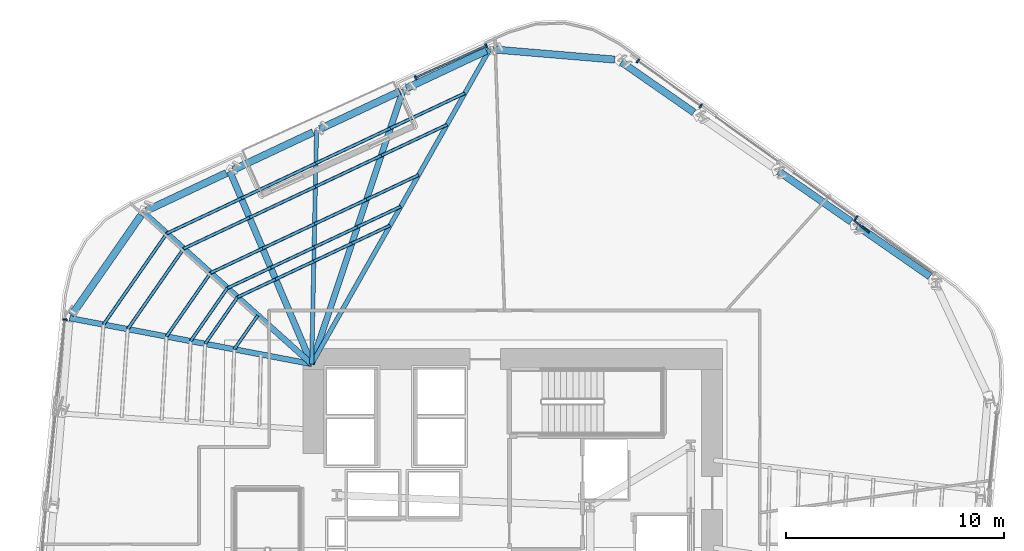
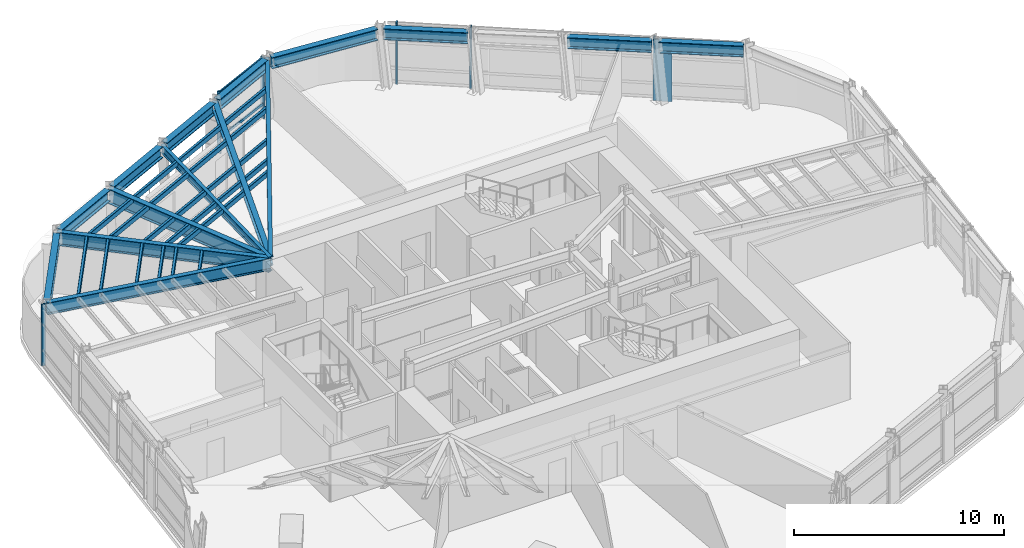
# One storey, part 6 of 16: 35 members, 15 beams, 3 elements without a shape of their own.
"""IFC4 building model written with IfcOpenShell, lengths in metres."""

from ifc_helpers import new_model, si_unit, direction, frame, origin, origin_2d, place, context, subcontext, project, spatial, rectangle, hollow_rectangle, i_section, extrude, material, layer, layer_set, material_profile, profile_set, type_object, element, aggregate, save


model = new_model("IFC4")

# Units and contexts
model_context = context("Model", 3, precision=1e-05, world=origin(), true_north=direction((0.0, 1.0)))
body_context = subcontext(model_context, "Body", "Model", "MODEL_VIEW")
ifc_project = project(units=[si_unit("LENGTHUNIT", "METRE"), si_unit("AREAUNIT", "SQUARE_METRE"), si_unit("VOLUMEUNIT", "CUBIC_METRE"), si_unit("PLANEANGLEUNIT", "RADIAN"), si_unit("MASSUNIT", "GRAM", prefix="KILO")], contexts=[model_context])

# Site, building, storey
site_placement = place(None, origin())
site = spatial("IfcSite", under=ifc_project, at=site_placement, CompositionType="ELEMENT")
building_placement = place(site_placement, origin())
building = spatial("IfcBuilding", under=site, at=building_placement, Name="Valkerne Bourse Tower", CompositionType="ELEMENT")
storey_placement = place(building_placement, frame((0.0, 0.0, 127.60009765625)))
storey = spatial("IfcBuildingStorey", under=building, at=storey_placement, Name="L32", CompositionType="ELEMENT", Elevation=127.60009765625)

# Beams
ifc_material_1 = material(Name="Steel ASTM A992", Category="steel")
ifc_material_profile_1 = material_profile(ifc_material_1, i_section(OverallWidth=0.1904296875, OverallDepth=0.457275390625, WebThickness=0.009033203125, FlangeThickness=0.014404296875, FilletRadius=0.01513671875, at=origin_2d()), Name="W18X50")
ifc_profile_set_1 = profile_set([ifc_material_profile_1], Name="Steel ASTM A992")
beam_type_1 = type_object("IfcBeamType", Name="BM-W18X50", PredefinedType="JOIST", material=ifc_profile_set_1)
beam_1_placement = place(storey_placement, frame((37.8212890625, 46.080810546875, 3.351318359375), z_axis=(-0.020704605519, -0.999785636679, 0.0), x_axis=(0.999785636679, -0.020704605519, 0.0)))
element("IfcBeam", 1, at=beam_1_placement, inside=storey, type_object=beam_type_1, Name="L32 Radial Composite Floor Beam 07", PredefinedType="JOIST", context=body_context, shape_type="SweptSolid", body=[
    extrude(i_section(OverallWidth=0.1904296875, OverallDepth=0.457275390625, WebThickness=0.009033203125, FlangeThickness=0.014404296875, FilletRadius=0.01513671875, at=origin_2d()), origin(), (0.0, 0.0, 1.0), 10.68310546875),
])
ifc_material_profile_2 = material_profile(ifc_material_1, i_section(OverallWidth=0.279296875, OverallDepth=0.46240234375, WebThickness=0.0107421875, FlangeThickness=0.017333984375, FilletRadius=0.017822265625, at=origin_2d()), Name="W18X76")
ifc_profile_set_2 = profile_set([ifc_material_profile_2], Name="Steel ASTM A992")
beam_type_2 = type_object("IfcBeamType", Name="BM-W18X76", PredefinedType="BEAM", material=ifc_profile_set_2)
beam_2_placement = place(storey_placement, frame((41.787109375, 47.947021484375, 3.3486328125), z_axis=(-0.316543369018, -0.948578038714, 0.0), x_axis=(0.948578038714, -0.316543369018, 0.0)))
element("IfcBeam", 2, at=beam_2_placement, inside=storey, type_object=beam_type_2, Name="L32 Radial Composite Floor Beam 06", PredefinedType="BEAM", context=body_context, shape_type="SweptSolid", body=[
    extrude(i_section(OverallWidth=0.279296875, OverallDepth=0.46240234375, WebThickness=0.0107421875, FlangeThickness=0.017333984375, FilletRadius=0.017822265625, at=origin_2d()), origin(), (0.0, 0.0, 1.0), 13.227294921875),
])
ifc_material_profile_3 = material_profile(ifc_material_1, i_section(OverallWidth=0.209228515625, OverallDepth=0.533447265625, WebThickness=0.01025390625, FlangeThickness=0.015625, FilletRadius=0.017822265625, at=origin_2d()), Name="W21X62")
ifc_profile_set_3 = profile_set([ifc_material_profile_3], Name="Steel ASTM A992")
beam_type_3 = type_object("IfcBeamType", Name="BM-W21X62", PredefinedType="JOIST", material=ifc_profile_set_3)
beam_3_placement = place(storey_placement, frame((45.7529296875, 49.81298828125, 3.313232421875), z_axis=(-0.492345805932, -0.870399682549, 0.0), x_axis=(0.870399682549, -0.492345805932, 0.0)))
element("IfcBeam", 3, at=beam_3_placement, inside=storey, type_object=beam_type_3, Name="L32 Radial Composite Floor Beam 05", PredefinedType="JOIST", context=body_context, shape_type="SweptSolid", body=[
    extrude(i_section(OverallWidth=0.209228515625, OverallDepth=0.533447265625, WebThickness=0.01025390625, FlangeThickness=0.015625, FilletRadius=0.017822265625, at=origin_2d()), origin(), (0.0, 0.0, 1.0), 16.55908203125),
])
ifc_material_profile_4 = material_profile(ifc_material_1, i_section(OverallWidth=0.330078125, OverallDepth=0.647705078125, WebThickness=0.0205078125, FlangeThickness=0.037109375, FilletRadius=0.020263671875, at=origin_2d()), Name="W24X192")
ifc_profile_set_4 = profile_set([ifc_material_profile_4], Name="Steel ASTM A992")
beam_type_4 = type_object("IfcBeamType", Name="BM-W24X192", PredefinedType="SPANDREL", material=ifc_profile_set_4)
for number, where, z_axis, x_axis, name in (
    (4, (65.8935546875, 39.410400390625, 3.256103515625), (-0.821145139554, 0.570719422998, 0.0), (-0.570719422998, -0.821145139554, 0.0), "L32 Hexagonal Spandrel Ring Beam 00"),
    (5, (62.29443359375, 41.91162109375, 3.256103515625), (-0.821116839452, 0.570760138734, 0.0), (-0.570760138734, -0.821116839452, 0.0), "L32 Hexagonal Spandrel Ring Beam 01"),
    (6, (55.096435546875, 46.91455078125, 3.256103515625), (-0.821145139554, 0.570719422998, 0.0), (-0.570719422998, -0.821145139554, 0.0), "L32 Hexagonal Spandrel Ring Beam 03"),
):
    element("IfcBeam", number, at=place(storey_placement, frame(where, z_axis=z_axis, x_axis=x_axis)), inside=storey, type_object=beam_type_4, Name=name, PredefinedType="SPANDREL", context=body_context, shape_type="SweptSolid", body=[
        extrude(i_section(OverallWidth=0.330078125, OverallDepth=0.647705078125, WebThickness=0.0205078125, FlangeThickness=0.037109375, FilletRadius=0.020263671875, at=origin_2d()), origin(), (0.0, 0.0, 1.0), 4.04296875),
    ])
beam_4_placement = place(storey_placement, frame((51.467529296875, 49.333251953125, 3.256103515625), z_axis=(-0.996493824615, 0.083666346301, 0.0), x_axis=(-0.083666346301, -0.996493824615, 0.0)))
element("IfcBeam", 7, at=beam_4_placement, inside=storey, type_object=beam_type_4, Name="L32 Hexagonal Spandrel Ring Beam 04", PredefinedType="SPANDREL", context=body_context, shape_type="SweptSolid", body=[
    extrude(i_section(OverallWidth=0.330078125, OverallDepth=0.647705078125, WebThickness=0.0205078125, FlangeThickness=0.037109375, FilletRadius=0.020263671875, at=origin_2d()), origin(), (0.0, 0.0, 1.0), 5.564697265625),
])
for number, where, z_axis, x_axis, name in (
    (8, (45.59912109375, 49.74072265625, 3.256103515625), (-0.904825544703, -0.425782495709, 0.0), (0.425782495709, -0.904825544703, 0.0), "L32 Hexagonal Spandrel Ring Beam 05"),
    (9, (41.63330078125, 47.87451171875, 3.256103515625), (-0.904825544703, -0.425782495709, 0.0), (0.425782495709, -0.904825544703, 0.0), "L32 Hexagonal Spandrel Ring Beam 06"),
    (10, (37.66748046875, 46.00830078125, 3.256103515625), (-0.904825544703, -0.425782495709, 0.0), (0.425782495709, -0.904825544703, 0.0), "L32 Hexagonal Spandrel Ring Beam 07"),
    (11, (33.70166015625, 44.14208984375, 3.256103515625), (-0.904848808238, -0.425733055131, 0.0), (0.425733055131, -0.904848808238, 0.0), "L32 Hexagonal Spandrel Ring Beam 08"),
):
    element("IfcBeam", number, at=place(storey_placement, frame(where, z_axis=z_axis, x_axis=x_axis)), inside=storey, type_object=beam_type_4, Name=name, PredefinedType="SPANDREL", context=body_context, shape_type="SweptSolid", body=[
        extrude(i_section(OverallWidth=0.330078125, OverallDepth=0.647705078125, WebThickness=0.0205078125, FlangeThickness=0.037109375, FilletRadius=0.020263671875, at=origin_2d()), origin(), (0.0, 0.0, 1.0), 4.04296875),
    ])
beam_5_placement = place(storey_placement, frame((29.79248046875, 42.208740234375, 3.256103515625), z_axis=(-0.57071478467, -0.821148363306, 0.0), x_axis=(0.821148363306, -0.57071478467, 0.0)))
element("IfcBeam", 12, at=beam_5_placement, inside=storey, type_object=beam_type_4, Name="L32 Hexagonal Spandrel Ring Beam 09", PredefinedType="SPANDREL", context=body_context, shape_type="SweptSolid", body=[
    extrude(i_section(OverallWidth=0.330078125, OverallDepth=0.647705078125, WebThickness=0.0205078125, FlangeThickness=0.037109375, FilletRadius=0.020263671875, at=origin_2d()), origin(), (0.0, 0.0, 1.0), 5.564453125),
])
ifc_material_profile_5 = material_profile(ifc_material_1, i_section(OverallWidth=0.255859375, OverallDepth=0.693359375, WebThickness=0.014404296875, FlangeThickness=0.023681640625, FilletRadius=0.02294921875, at=origin_2d()), Name="W27X114")
ifc_profile_set_5 = profile_set([ifc_material_profile_5], Name="Steel ASTM A992")
beam_type_5 = type_object("IfcBeamType", Name="BM-W27X114", PredefinedType="BEAM", material=ifc_profile_set_5)
beam_6_placement = place(storey_placement, frame((26.519775390625, 37.499755859375, 3.233154296875), z_axis=(0.982512275573, -0.186197820474, 0.0), x_axis=(0.186197820474, 0.982512275573, 0.0)))
element("IfcBeam", 13, at=beam_6_placement, inside=storey, type_object=beam_type_5, Name="L32 Radial Composite Floor Beam 10", PredefinedType="BEAM", context=body_context, shape_type="SweptSolid", body=[
    extrude(i_section(OverallWidth=0.255859375, OverallDepth=0.693359375, WebThickness=0.014404296875, FlangeThickness=0.023681640625, FilletRadius=0.02294921875, at=origin_2d()), origin(), (0.0, 0.0, 1.0), 11.277587890625),
])
ifc_material_profile_6 = material_profile(ifc_material_1, i_section(OverallWidth=0.26806640625, OverallDepth=0.76953125, WebThickness=0.015625, FlangeThickness=0.025390625, FilletRadius=0.025390625, at=origin_2d()), Name="W30X132")
ifc_profile_set_6 = profile_set([ifc_material_profile_6], Name="Steel ASTM A992")
beam_type_6 = type_object("IfcBeamType", Name="BM-W30X132", PredefinedType="BEAM", material=ifc_profile_set_6)
beam_7_placement = place(storey_placement, frame((29.8896484375, 42.348388671875, 3.195068359375), z_axis=(0.742858904573, -0.669448017322, 0.0), x_axis=(0.669448017322, 0.742858904573, 0.0)))
element("IfcBeam", 14, at=beam_7_placement, inside=storey, type_object=beam_type_6, Name="L32 Radial Composite Floor Beam 09", PredefinedType="BEAM", context=body_context, shape_type="SweptSolid", body=[
    extrude(i_section(OverallWidth=0.26806640625, OverallDepth=0.76953125, WebThickness=0.015625, FlangeThickness=0.025390625, FilletRadius=0.025390625, at=origin_2d()), origin(), (0.0, 0.0, 1.0), 10.37939453125),
])
ifc_material_profile_7 = material_profile(ifc_material_1, i_section(OverallWidth=0.2919921875, OverallDepth=0.8583984375, WebThickness=0.01708984375, FlangeThickness=0.031005859375, FilletRadius=0.025390625, at=origin_2d()), Name="W33X169")
ifc_profile_set_7 = profile_set([ifc_material_profile_7], Name="Steel ASTM A992")
beam_type_7 = type_object("IfcBeamType", Name="BM-W33X169", PredefinedType="BEAM", material=ifc_profile_set_7)
beam_8_placement = place(storey_placement, frame((33.85546875, 44.214599609375, 3.150634765625), z_axis=(0.390997588456, -0.920391702386, 0.0), x_axis=(0.920391702386, 0.390997588456, 0.0)))
element("IfcBeam", 15, at=beam_8_placement, inside=storey, type_object=beam_type_7, Name="L32 Radial Composite Floor Beam 08", PredefinedType="BEAM", context=body_context, shape_type="SweptSolid", body=[
    extrude(i_section(OverallWidth=0.2919921875, OverallDepth=0.8583984375, WebThickness=0.01708984375, FlangeThickness=0.031005859375, FilletRadius=0.025390625, at=origin_2d()), origin(), (0.0, 0.0, 1.0), 9.5771484375),
])

# Curtain wall, members
ifc_material_2 = material(Name="Aluminium AA 6063-T6", Category="aluminium")
ifc_layer = layer(ifc_material_2, 0.22998046875)
ifc_layer_set = layer_set([ifc_layer], Name="Aluminium AA 6063-T6")
curtain_wall_type = type_object("IfcCurtainWallType", Name="CW-02", PredefinedType="NOTDEFINED", material=ifc_layer_set)
curtain_wall_1_placement = place(storey_placement, origin())
curtain_wall_1 = element("IfcCurtainWall", 16, at=curtain_wall_1_placement, inside=storey, type_object=curtain_wall_type, Name="L32 Hexagonal Stick Curtain Wall Face 1", PredefinedType="NOTDEFINED")
ifc_material_profile_8 = material_profile(ifc_material_2, rectangle(XDim=0.074951171875, YDim=0.199951171875, at=origin_2d()), Name="CWM-75X200")
ifc_profile_set_8 = profile_set([ifc_material_profile_8], Name="Aluminium AA 6063-T6")
member_type_1 = type_object("IfcMemberType", Name="CW-MUL-220X75", PredefinedType="MULLION", material=ifc_profile_set_8)
member_1_placement = place(storey_placement, frame((62.522216796875, 42.08837890625, 0.0), z_axis=(0.0, 0.0, 1.0), x_axis=(-0.812074499603, 0.583553773953, 0.0)))
member_1 = element("IfcMember", 17, at=member_1_placement, type_object=member_type_1, Name="CW-L32-F1 Jamb Mullion 01A", PredefinedType="MULLION", context=body_context, shape_type="SweptSolid", body=[
    extrude(rectangle(XDim=0.074951171875, YDim=0.199951171875, at=origin_2d()), origin(), (0.0, 0.0, 1.0), 3.579833984375),
])
member_2_placement = place(storey_placement, frame((55.403564453125, 47.203857421875, 0.0), z_axis=(0.0, 0.0, 1.0), x_axis=(-0.812093080647, 0.583527915669, 0.0)))
member_2 = element("IfcMember", 18, at=member_2_placement, type_object=member_type_1, Name="CW-L32-F1 Jamb Mullion 03A", PredefinedType="MULLION", context=body_context, shape_type="SweptSolid", body=[
    extrude(rectangle(XDim=0.074951171875, YDim=0.199951171875, at=origin_2d()), origin(), (0.0, 0.0, 1.0), 3.579833984375),
])
member_3_placement = place(storey_placement, frame((52.5263671875, 49.271240234375, 0.0), z_axis=(0.0, 0.0, 1.0), x_axis=(-0.812093080647, 0.583527915669, 0.0)))
member_3 = element("IfcMember", 19, at=member_3_placement, type_object=member_type_1, Name="CW-L32-F1 Jamb Mullion 03B", PredefinedType="MULLION", context=body_context, shape_type="SweptSolid", body=[
    extrude(rectangle(XDim=0.074951171875, YDim=0.199951171875, at=origin_2d()), origin(), (0.0, 0.0, 1.0), 3.579833984375),
])
aggregate(curtain_wall_1, [member_1, member_2, member_3])

curtain_wall_2_placement = place(storey_placement, origin())
curtain_wall_2 = element("IfcCurtainWall", 20, at=curtain_wall_2_placement, inside=storey, type_object=curtain_wall_type, Name="L32 Hexagonal Stick Curtain Wall Face 2", PredefinedType="NOTDEFINED")
member_4_placement = place(storey_placement, frame((45.5888671875, 49.9638671875, 0.0), z_axis=(0.0, 0.0, 1.0), x_axis=(-0.911401240965, -0.411518867086, 0.0)))
member_4 = element("IfcMember", 21, at=member_4_placement, type_object=member_type_1, Name="CW-L32-F2 Jamb Mullion 00A", PredefinedType="MULLION", context=body_context, shape_type="SweptSolid", body=[
    extrude(rectangle(XDim=0.074951171875, YDim=0.199951171875, at=origin_2d()), origin(), (0.0, 0.0, 1.0), 3.579833984375),
])
member_5_placement = place(storey_placement, frame((42.359619140625, 48.505859375, 0.0), z_axis=(0.0, 0.0, 1.0), x_axis=(-0.911401240965, -0.411518867086, 0.0)))
member_5 = element("IfcMember", 22, at=member_5_placement, type_object=member_type_1, Name="CW-L32-F2 Jamb Mullion 00B", PredefinedType="MULLION", context=body_context, shape_type="SweptSolid", body=[
    extrude(rectangle(XDim=0.074951171875, YDim=0.199951171875, at=origin_2d()), origin(), (0.0, 0.0, 1.0), 3.579833984375),
])

# Curtain wall, member
curtain_wall_3_placement = place(storey_placement, origin())
curtain_wall_3 = element("IfcCurtainWall", 23, at=curtain_wall_3_placement, inside=storey, type_object=curtain_wall_type, Name="L32 Hexagonal Stick Curtain Wall Face 3", PredefinedType="NOTDEFINED")
member_6_placement = place(storey_placement, frame((26.30712890625, 37.432861328125, 0.0), z_axis=(0.0, 0.0, 1.0), x_axis=(-0.099316222871, -0.995055921984, 0.0)))
member_6 = element("IfcMember", 24, at=member_6_placement, type_object=member_type_1, Name="CW-L32-F3 Jamb Mullion 00A", PredefinedType="MULLION", context=body_context, shape_type="SweptSolid", body=[
    extrude(rectangle(XDim=0.074951171875, YDim=0.199951171875, at=origin_2d()), origin(), (0.0, 0.0, 1.0), 3.579833984375),
])
aggregate(curtain_wall_3, [member_6])

# Member
ifc_material_profile_9 = material_profile(ifc_material_2, rectangle(XDim=0.074951171875, YDim=0.14990234375, at=origin_2d()), Name="CWT-75X150")
ifc_profile_set_9 = profile_set([ifc_material_profile_9], Name="Aluminium AA 6063-T6")
member_type_2 = type_object("IfcMemberType", Name="CW-TRN-180X65", PredefinedType="USERDEFINED", material=ifc_profile_set_9)
member_7_placement = place(storey_placement, frame((45.5888671875, 49.9638671875, 0.849853515625), z_axis=(-0.911408949152, -0.411501795142, 0.0), x_axis=(0.411501795142, -0.911408949152, 0.0)))
member_7 = element("IfcMember", 25, at=member_7_placement, type_object=member_type_2, Name="CW-L32-F2 Bay Transom 00-1", ObjectType="TRANSOM", PredefinedType="USERDEFINED", context=body_context, shape_type="SweptSolid", body=[
    extrude(rectangle(XDim=0.074951171875, YDim=0.14990234375, at=origin_2d()), origin(), (0.0, 0.0, 1.0), 3.543212890625),
])

member_8_placement = place(storey_placement, frame((45.5888671875, 49.9638671875, 3.5), z_axis=(-0.911408949152, -0.411501795142, 0.0), x_axis=(0.411501795142, -0.911408949152, 0.0)))
member_8 = element("IfcMember", 26, at=member_8_placement, type_object=member_type_2, Name="CW-L32-F2 Bay Transom 00-2", ObjectType="TRANSOM", PredefinedType="USERDEFINED", context=body_context, shape_type="SweptSolid", body=[
    extrude(rectangle(XDim=0.074951171875, YDim=0.14990234375, at=origin_2d()), origin(), (0.0, 0.0, 1.0), 3.543212890625),
])

aggregate(curtain_wall_2, [member_4, member_5, member_7, member_8])

# Members
ifc_material_3 = material(Name="Bronze Anodised Aluminium AA 6063-T6", Category="aluminium")
ifc_material_profile_10 = material_profile(ifc_material_3, rectangle(XDim=0.070068359375, YDim=0.89990234375, at=origin_2d()), Name="FIN-70X900")
ifc_profile_set_10 = profile_set([ifc_material_profile_10], Name="Bronze Anodised Aluminium AA 6063-T6")
member_type_3 = type_object("IfcMemberType", Name="FIN-SOLAR-900", PredefinedType="USERDEFINED", material=ifc_profile_set_10)
member_9_placement = place(storey_placement, frame((62.75830078125, 41.697265625, 0.00390625), z_axis=(0.0, 0.0, 1.0), x_axis=(0.625012434929, 0.780614793726, 0.0)))
element("IfcMember", 27, at=member_9_placement, inside=storey, type_object=member_type_3, Name="L32 Bronze Anodised Solar Fin F1-01", ObjectType="SOLAR_FIN", PredefinedType="USERDEFINED", context=body_context, shape_type="SweptSolid", body=[
    extrude(rectangle(XDim=0.070068359375, YDim=0.89990234375, at=origin_2d()), origin(), (0.0, 0.0, 1.0), 3.572021484375),
])
ifc_material_4 = material(Name="Steel ASTM A500 Grade C", Category="steel")
ifc_material_profile_11 = material_profile(ifc_material_4, hollow_rectangle(XDim=0.14990234375, YDim=0.300048828125, WallThickness=0.012451171875, OuterFilletRadius=0.02490234375, at=origin_2d()), Name="HSS300X150X12.5")
ifc_profile_set_11 = profile_set([ifc_material_profile_11], Name="Steel ASTM A500 Grade C")
member_type_4 = type_object("IfcMemberType", Name="MBR-HSS300X150X12.5", PredefinedType="PURLIN", material=ifc_profile_set_11)
member_10_placement = place(storey_placement, frame((35.1328125, 37.62353515625, 3.419921875), z_axis=(-0.570814616274, -0.821078969313, 0.0), x_axis=(0.821078969313, -0.570814616274, 0.0)))
element("IfcMember", 28, at=member_10_placement, inside=storey, type_object=member_type_4, Name="L32 Secondary Composite Floor Purlin I-09", PredefinedType="PURLIN", context=body_context, shape_type="SweptSolid", body=[
    extrude(hollow_rectangle(XDim=0.14990234375, YDim=0.300048828125, WallThickness=0.012451171875, OuterFilletRadius=0.02490234375, at=origin_2d()), origin(), (0.0, 0.0, 1.0), 1.8896484375),
])
for number, where, z_axis, x_axis, name in (
    (29, (41.187255859375, 41.74169921875, 3.419921875), (-0.904833047659, -0.425766550899, 0.0), (0.425766550899, -0.904833047659, 0.0), "L32 Secondary Composite Floor Purlin K-05"),
    (30, (39.4423828125, 40.920654296875, 3.419921875), (-0.904833047659, -0.425766550899, 0.0), (0.425766550899, -0.904833047659, 0.0), "L32 Secondary Composite Floor Purlin K-06"),
):
    element("IfcMember", number, at=place(storey_placement, frame(where, z_axis=z_axis, x_axis=x_axis)), inside=storey, type_object=member_type_4, Name=name, PredefinedType="PURLIN", context=body_context, shape_type="SweptSolid", body=[
        extrude(hollow_rectangle(XDim=0.14990234375, YDim=0.300048828125, WallThickness=0.012451171875, OuterFilletRadius=0.02490234375, at=origin_2d()), origin(), (0.0, 0.0, 1.0), 1.928466796875),
    ])
member_11_placement = place(storey_placement, frame((37.697509765625, 40.099609375, 3.419921875), z_axis=(-0.904807227028, -0.425821420219, 0.0), x_axis=(0.425821420219, -0.904807227028, 0.0)))
element("IfcMember", 31, at=member_11_placement, inside=storey, type_object=member_type_4, Name="L32 Secondary Composite Floor Purlin K-07", PredefinedType="PURLIN", context=body_context, shape_type="SweptSolid", body=[
    extrude(hollow_rectangle(XDim=0.14990234375, YDim=0.300048828125, WallThickness=0.012451171875, OuterFilletRadius=0.02490234375, at=origin_2d()), origin(), (0.0, 0.0, 1.0), 1.9287109375),
])
member_12_placement = place(storey_placement, frame((35.952392578125, 39.2783203125, 3.419921875), z_axis=(-0.904833047659, -0.425766550899, 0.0), x_axis=(0.425766550899, -0.904833047659, 0.0)))
element("IfcMember", 32, at=member_12_placement, inside=storey, type_object=member_type_4, Name="L32 Secondary Composite Floor Purlin K-08", PredefinedType="PURLIN", context=body_context, shape_type="SweptSolid", body=[
    extrude(hollow_rectangle(XDim=0.14990234375, YDim=0.300048828125, WallThickness=0.012451171875, OuterFilletRadius=0.02490234375, at=origin_2d()), origin(), (0.0, 0.0, 1.0), 1.928466796875),
])
member_13_placement = place(storey_placement, frame((34.20751953125, 38.457275390625, 3.419921875), z_axis=(-0.570772607028, -0.821108172573, 0.0), x_axis=(0.821108172573, -0.570772607028, 0.0)))
element("IfcMember", 33, at=member_13_placement, inside=storey, type_object=member_type_4, Name="L32 Secondary Composite Floor Purlin K-09", PredefinedType="PURLIN", context=body_context, shape_type="SweptSolid", body=[
    extrude(hollow_rectangle(XDim=0.14990234375, YDim=0.300048828125, WallThickness=0.012451171875, OuterFilletRadius=0.02490234375, at=origin_2d()), origin(), (0.0, 0.0, 1.0), 2.59814453125),
])
member_14_placement = place(storey_placement, frame((41.676513671875, 42.6064453125, 3.419921875), z_axis=(-0.904866668753, -0.425695092502, 0.0), x_axis=(0.425695092502, -0.904866668753, 0.0)))
element("IfcMember", 34, at=member_14_placement, inside=storey, type_object=member_type_4, Name="L32 Secondary Composite Floor Purlin M-05", PredefinedType="PURLIN", context=body_context, shape_type="SweptSolid", body=[
    extrude(hollow_rectangle(XDim=0.14990234375, YDim=0.300048828125, WallThickness=0.012451171875, OuterFilletRadius=0.02490234375, at=origin_2d()), origin(), (0.0, 0.0, 1.0), 2.19140625),
])
member_15_placement = place(storey_placement, frame((39.693603515625, 41.673583984375, 3.419921875), z_axis=(-0.904780829351, -0.425877506847, 0.0), x_axis=(0.425877506847, -0.904780829351, 0.0)))
element("IfcMember", 35, at=member_15_placement, inside=storey, type_object=member_type_4, Name="L32 Secondary Composite Floor Purlin M-06", PredefinedType="PURLIN", context=body_context, shape_type="SweptSolid", body=[
    extrude(hollow_rectangle(XDim=0.14990234375, YDim=0.300048828125, WallThickness=0.012451171875, OuterFilletRadius=0.02490234375, at=origin_2d()), origin(), (0.0, 0.0, 1.0), 2.191650390625),
])
for number, where, z_axis, x_axis, name in (
    (36, (37.710693359375, 40.740234375, 3.419921875), (-0.904823751613, -0.425786306164, 0.0), (0.425786306164, -0.904823751613, 0.0), "L32 Secondary Composite Floor Purlin M-07"),
    (37, (35.727783203125, 39.80712890625, 3.419921875), (-0.904866668753, -0.425695092502, 0.0), (0.425695092502, -0.904866668753, 0.0), "L32 Secondary Composite Floor Purlin M-08"),
):
    element("IfcMember", number, at=place(storey_placement, frame(where, z_axis=z_axis, x_axis=x_axis)), inside=storey, type_object=member_type_4, Name=name, PredefinedType="PURLIN", context=body_context, shape_type="SweptSolid", body=[
        extrude(hollow_rectangle(XDim=0.14990234375, YDim=0.300048828125, WallThickness=0.012451171875, OuterFilletRadius=0.02490234375, at=origin_2d()), origin(), (0.0, 0.0, 1.0), 2.19140625),
    ])
member_16_placement = place(storey_placement, frame((33.744873046875, 38.874267578125, 3.419921875), z_axis=(-0.570739785492, -0.821130986662, 0.0), x_axis=(0.821130986662, -0.570739785492, 0.0)))
element("IfcMember", 38, at=member_16_placement, inside=storey, type_object=member_type_4, Name="L32 Secondary Composite Floor Purlin M-09", PredefinedType="PURLIN", context=body_context, shape_type="SweptSolid", body=[
    extrude(hollow_rectangle(XDim=0.14990234375, YDim=0.300048828125, WallThickness=0.012451171875, OuterFilletRadius=0.02490234375, at=origin_2d()), origin(), (0.0, 0.0, 1.0), 2.952392578125),
])
member_17_placement = place(storey_placement, frame((43.79638671875, 46.35400390625, 3.419921875), z_axis=(-0.904815380331, -0.425804095231, 0.0), x_axis=(0.425804095231, -0.904815380331, 0.0)))
element("IfcMember", 39, at=member_17_placement, inside=storey, type_object=member_type_4, Name="L32 Secondary Composite Floor Purlin O-05", PredefinedType="PURLIN", context=body_context, shape_type="SweptSolid", body=[
    extrude(hollow_rectangle(XDim=0.14990234375, YDim=0.300048828125, WallThickness=0.012451171875, OuterFilletRadius=0.02490234375, at=origin_2d()), origin(), (0.0, 0.0, 1.0), 3.331298828125),
])
member_18_placement = place(storey_placement, frame((40.7822265625, 44.935546875, 3.419921875), z_axis=(-0.904830329445, -0.425772327561, 0.0), x_axis=(0.425772327561, -0.904830329445, 0.0)))
element("IfcMember", 40, at=member_18_placement, inside=storey, type_object=member_type_4, Name="L32 Secondary Composite Floor Purlin O-06", PredefinedType="PURLIN", context=body_context, shape_type="SweptSolid", body=[
    extrude(hollow_rectangle(XDim=0.14990234375, YDim=0.300048828125, WallThickness=0.012451171875, OuterFilletRadius=0.02490234375, at=origin_2d()), origin(), (0.0, 0.0, 1.0), 3.330810546875),
])
for number, where, z_axis, x_axis, name in (
    (41, (37.768310546875, 43.517333984375, 3.419921875), (-0.904843615245, -0.425744092091, 0.0), (0.425744092091, -0.904843615245, 0.0), "L32 Secondary Composite Floor Purlin O-07"),
    (42, (34.754150390625, 42.09912109375, 3.419921875), (-0.904843615245, -0.425744092091, 0.0), (0.425744092091, -0.904843615245, 0.0), "L32 Secondary Composite Floor Purlin O-08"),
):
    element("IfcMember", number, at=place(storey_placement, frame(where, z_axis=z_axis, x_axis=x_axis)), inside=storey, type_object=member_type_4, Name=name, PredefinedType="PURLIN", context=body_context, shape_type="SweptSolid", body=[
        extrude(hollow_rectangle(XDim=0.14990234375, YDim=0.300048828125, WallThickness=0.012451171875, OuterFilletRadius=0.02490234375, at=origin_2d()), origin(), (0.0, 0.0, 1.0), 3.3310546875),
    ])
member_19_placement = place(storey_placement, frame((31.739990234375, 40.680908203125, 3.419921875), z_axis=(-0.570691436918, -0.821164589975, 0.0), x_axis=(0.821164589975, -0.570691436918, 0.0)))
element("IfcMember", 43, at=member_19_placement, inside=storey, type_object=member_type_4, Name="L32 Secondary Composite Floor Purlin O-09", PredefinedType="PURLIN", context=body_context, shape_type="SweptSolid", body=[
    extrude(hollow_rectangle(XDim=0.14990234375, YDim=0.300048828125, WallThickness=0.012451171875, OuterFilletRadius=0.02490234375, at=origin_2d()), origin(), (0.0, 0.0, 1.0), 4.487548828125),
])
for number, where, z_axis, x_axis, name in (
    (44, (42.49169921875, 44.0478515625, 3.419921875), (-0.904795557206, -0.425846215976, 0.0), (0.425846215976, -0.904795557206, 0.0), "L32 Secondary Composite Floor Purlin Z-05"),
    (45, (40.1123046875, 42.927978515625, 3.419921875), (-0.904831326116, -0.425770209478, 0.0), (0.425770209478, -0.904831326116, 0.0), "L32 Secondary Composite Floor Purlin Z-06"),
):
    element("IfcMember", number, at=place(storey_placement, frame(where, z_axis=z_axis, x_axis=x_axis)), inside=storey, type_object=member_type_4, Name=name, PredefinedType="PURLIN", context=body_context, shape_type="SweptSolid", body=[
        extrude(hollow_rectangle(XDim=0.14990234375, YDim=0.300048828125, WallThickness=0.012451171875, OuterFilletRadius=0.02490234375, at=origin_2d()), origin(), (0.0, 0.0, 1.0), 2.629638671875),
    ])
member_20_placement = place(storey_placement, frame((37.73291015625, 41.808349609375, 3.419921875), z_axis=(-0.904848154292, -0.425734445017, 0.0), x_axis=(0.425734445017, -0.904848154292, 0.0)))
element("IfcMember", 46, at=member_20_placement, inside=storey, type_object=member_type_4, Name="L32 Secondary Composite Floor Purlin Z-07", PredefinedType="PURLIN", context=body_context, shape_type="SweptSolid", body=[
    extrude(hollow_rectangle(XDim=0.14990234375, YDim=0.300048828125, WallThickness=0.012451171875, OuterFilletRadius=0.02490234375, at=origin_2d()), origin(), (0.0, 0.0, 1.0), 2.6298828125),
])
member_21_placement = place(storey_placement, frame((35.353271484375, 40.688720703125, 3.419921875), z_axis=(-0.904831326116, -0.425770209478, 0.0), x_axis=(0.425770209478, -0.904831326116, 0.0)))
element("IfcMember", 47, at=member_21_placement, inside=storey, type_object=member_type_4, Name="L32 Secondary Composite Floor Purlin Z-08", PredefinedType="PURLIN", context=body_context, shape_type="SweptSolid", body=[
    extrude(hollow_rectangle(XDim=0.14990234375, YDim=0.300048828125, WallThickness=0.012451171875, OuterFilletRadius=0.02490234375, at=origin_2d()), origin(), (0.0, 0.0, 1.0), 2.629638671875),
])
member_22_placement = place(storey_placement, frame((32.973876953125, 39.569091796875, 3.419921875), z_axis=(-0.570721199872, -0.821143904573, 0.0), x_axis=(0.821143904573, -0.570721199872, 0.0)))
element("IfcMember", 48, at=member_22_placement, inside=storey, type_object=member_type_4, Name="L32 Secondary Composite Floor Purlin Z-09", PredefinedType="PURLIN", context=body_context, shape_type="SweptSolid", body=[
    extrude(hollow_rectangle(XDim=0.14990234375, YDim=0.300048828125, WallThickness=0.012451171875, OuterFilletRadius=0.02490234375, at=origin_2d()), origin(), (0.0, 0.0, 1.0), 3.542724609375),
])
member_23_placement = place(storey_placement, frame((44.611572265625, 47.79541015625, 3.419921875), z_axis=(-0.90479668384, -0.425843822208, 0.0), x_axis=(0.425843822208, -0.90479668384, 0.0)))
element("IfcMember", 49, at=member_23_placement, inside=storey, type_object=member_type_4, Name="L32 Secondary Composite Floor Purlin T-05", PredefinedType="PURLIN", context=body_context, shape_type="SweptSolid", body=[
    extrude(hollow_rectangle(XDim=0.14990234375, YDim=0.300048828125, WallThickness=0.012451171875, OuterFilletRadius=0.02490234375, at=origin_2d()), origin(), (0.0, 0.0, 1.0), 3.76953125),
])
member_24_placement = place(storey_placement, frame((41.200927734375, 46.190185546875, 3.419921875), z_axis=(-0.90484659019, -0.425737769314, 0.0), x_axis=(0.425737769314, -0.90484659019, 0.0)))
element("IfcMember", 50, at=member_24_placement, inside=storey, type_object=member_type_4, Name="L32 Secondary Composite Floor Purlin T-06", PredefinedType="PURLIN", context=body_context, shape_type="SweptSolid", body=[
    extrude(hollow_rectangle(XDim=0.14990234375, YDim=0.300048828125, WallThickness=0.012451171875, OuterFilletRadius=0.02490234375, at=origin_2d()), origin(), (0.0, 0.0, 1.0), 3.769287109375),
])
for number, where, z_axis, x_axis, name in (
    (51, (37.790283203125, 44.58544921875, 3.419921875), (-0.904821637881, -0.425790797955, 0.0), (0.425790797955, -0.904821637881, 0.0), "L32 Secondary Composite Floor Purlin T-07"),
    (52, (34.379638671875, 42.98046875, 3.419921875), (-0.904821637881, -0.425790797955, 0.0), (0.425790797955, -0.904821637881, 0.0), "L32 Secondary Composite Floor Purlin T-08"),
):
    element("IfcMember", number, at=place(storey_placement, frame(where, z_axis=z_axis, x_axis=x_axis)), inside=storey, type_object=member_type_4, Name=name, PredefinedType="PURLIN", context=body_context, shape_type="SweptSolid", body=[
        extrude(hollow_rectangle(XDim=0.14990234375, YDim=0.300048828125, WallThickness=0.012451171875, OuterFilletRadius=0.02490234375, at=origin_2d()), origin(), (0.0, 0.0, 1.0), 3.76953125),
    ])
member_25_placement = place(storey_placement, frame((30.968994140625, 41.37548828125, 3.419921875), z_axis=(-0.570706622621, -0.821154036035, 0.0), x_axis=(0.821154036035, -0.570706622621, 0.0)))
element("IfcMember", 53, at=member_25_placement, inside=storey, type_object=member_type_4, Name="L32 Secondary Composite Floor Purlin T-09", PredefinedType="PURLIN", context=body_context, shape_type="SweptSolid", body=[
    extrude(hollow_rectangle(XDim=0.14990234375, YDim=0.300048828125, WallThickness=0.012451171875, OuterFilletRadius=0.02490234375, at=origin_2d()), origin(), (0.0, 0.0, 1.0), 5.077880859375),
])

save(model, "model.ifc")
